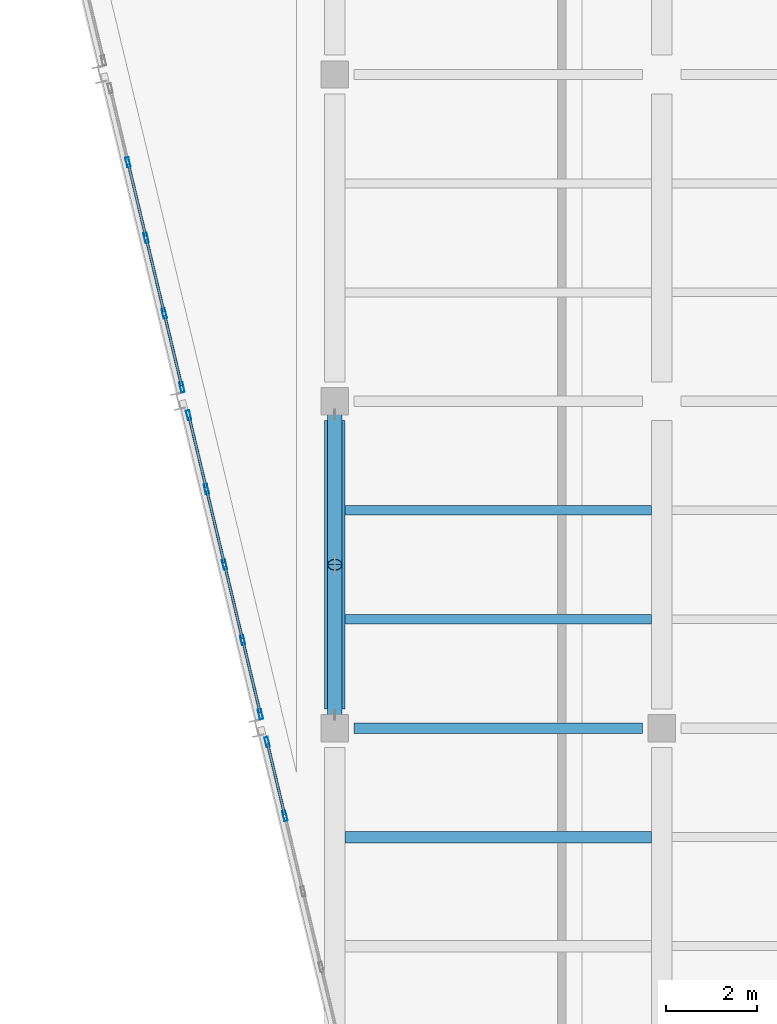
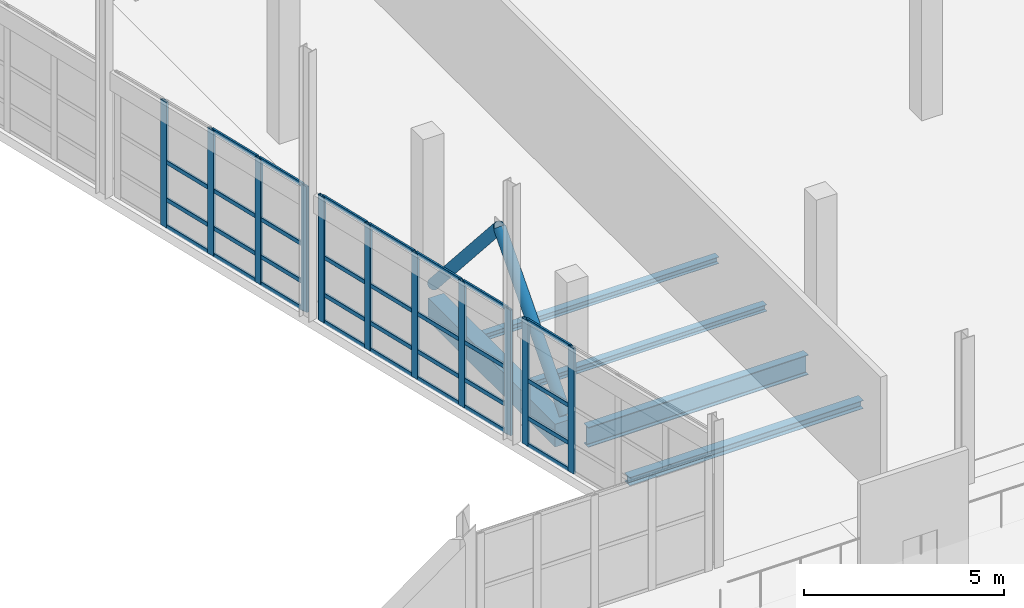
# One storey, part 61 of 123: 44 members, 5 beams, 3 elements without a shape of their own.
"""IFC4 building model written with IfcOpenShell, lengths in metres."""

from ifc_helpers import new_model, si_unit, direction, frame, origin, origin_2d, place, context, subcontext, project, spatial, rectangle, hollow_rectangle, hollow_circle, i_section, extrude, material, material_profile, profile_set, type_object, element, aggregate, save


model = new_model("IFC4")

# Units and contexts
model_context = context("Model", 3, precision=1e-05, world=origin(), true_north=direction((0.0, 1.0)))
body_context = subcontext(model_context, "Body", "Model", "MODEL_VIEW")
ifc_project = project(units=[si_unit("LENGTHUNIT", "METRE"), si_unit("AREAUNIT", "SQUARE_METRE"), si_unit("VOLUMEUNIT", "CUBIC_METRE"), si_unit("PLANEANGLEUNIT", "RADIAN"), si_unit("MASSUNIT", "GRAM", prefix="KILO")], contexts=[model_context])

# Site, building, storey
site_placement = place(None, origin())
site = spatial("IfcSite", under=ifc_project, at=site_placement, CompositionType="ELEMENT")
building_placement = place(site_placement, origin())
building = spatial("IfcBuilding", under=site, at=building_placement, Name="Kalmorath City Hall", CompositionType="ELEMENT")
storey_placement = place(building_placement, frame((0.0, 0.0, 10.199951171875)))
storey = spatial("IfcBuildingStorey", under=building, at=storey_placement, Name="L02", CompositionType="ELEMENT", Elevation=10.199951171875)

# Beam
ifc_material_1 = material(Name="Concrete C40/50", Category="concrete")
ifc_material_profile_1 = material_profile(ifc_material_1, rectangle(XDim=0.449951171875, YDim=0.699951171875, at=origin_2d()), Name="RC-BM-450X700")
ifc_profile_set_1 = profile_set([ifc_material_profile_1], Name="Concrete C40/50")
beam_type_1 = type_object("IfcBeamType", Name="Concrete floor beam 450x700", PredefinedType="BEAM", material=ifc_profile_set_1)
beam_1_placement = place(storey_placement, frame((136.800048828125, 50.824951171875, -0.634033203125), z_axis=(0.0, 1.0, 0.0), x_axis=(-1.0, 0.0, 0.0)))
element("IfcBeam", 1, at=beam_1_placement, inside=storey, type_object=beam_type_1, Name="L02 girder CB4 Y20/8-9", PredefinedType="BEAM", context=body_context, shape_type="SweptSolid", body=[
    extrude(rectangle(XDim=0.449951171875, YDim=0.699951171875, at=origin_2d()), origin(), (0.0, 0.0, 1.0), 6.35009765625),
])

# Curtain wall, members
ifc_material_2 = material(Name="Anodised aluminium and laminated glass", Category="aluminium")
curtain_wall_type = type_object("IfcCurtainWallType", Name="Unitised hurricane curtain wall 6849x3835 M1850", PredefinedType="NOTDEFINED", material=ifc_material_2)
curtain_wall_1_placement = place(storey_placement, origin())
curtain_wall_1 = element("IfcCurtainWall", 2, at=curtain_wall_1_placement, inside=storey, type_object=curtain_wall_type, Name="L02 curtain wall CW-68X38M18 #125", PredefinedType="NOTDEFINED")
ifc_material_3 = material(Name="Anodised aluminium framing", Category="aluminium")
ifc_material_profile_2 = material_profile(ifc_material_3, hollow_rectangle(XDim=0.06005859375, YDim=0.1298828125, WallThickness=0.00341796875, InnerFilletRadius=0.00341796875, OuterFilletRadius=0.007080078125, at=origin_2d()), Name="ALU-TRN-130X60X3.5")
ifc_profile_set_2 = profile_set([ifc_material_profile_2], Name="Anodised aluminium framing")
member_type_1 = type_object("IfcMemberType", Name="Curtain-wall courtyard transom 130x60", PredefinedType="USERDEFINED", material=ifc_profile_set_2)
member_1_placement = place(storey_placement, frame((135.691650390625, 48.50146484375, 0.030029296875), z_axis=(-0.233476838675, 0.972362363423, 0.0), x_axis=(-0.972362363423, -0.233476838675, 0.0)))
member_1 = element("IfcMember", 3, at=member_1_placement, type_object=member_type_1, Name="CW-68X38M18 transom 4.1", ObjectType="TRANSOM", PredefinedType="USERDEFINED", context=body_context, shape_type="SweptSolid", body=[
    extrude(hollow_rectangle(XDim=0.06005859375, YDim=0.1298828125, WallThickness=0.00341796875, InnerFilletRadius=0.00341796875, OuterFilletRadius=0.007080078125, at=origin_2d()), origin(), (0.0, 0.0, 1.0), 1.599853515625),
])
member_2_placement = place(storey_placement, frame((135.691650390625, 48.50146484375, 0.85009765625), z_axis=(-0.233476838675, 0.972362363423, 0.0), x_axis=(-0.972362363423, -0.233476838675, 0.0)))
member_2 = element("IfcMember", 4, at=member_2_placement, type_object=member_type_1, Name="CW-68X38M18 transom 4.2", ObjectType="TRANSOM", PredefinedType="USERDEFINED", context=body_context, shape_type="SweptSolid", body=[
    extrude(hollow_rectangle(XDim=0.06005859375, YDim=0.1298828125, WallThickness=0.00341796875, InnerFilletRadius=0.00341796875, OuterFilletRadius=0.007080078125, at=origin_2d()), origin(), (0.0, 0.0, 1.0), 1.599853515625),
])
member_3_placement = place(storey_placement, frame((135.691650390625, 48.50146484375, 1.994140625), z_axis=(-0.233476838675, 0.972362363423, 0.0), x_axis=(-0.972362363423, -0.233476838675, 0.0)))
member_3 = element("IfcMember", 5, at=member_3_placement, type_object=member_type_1, Name="CW-68X38M18 transom 4.3", ObjectType="TRANSOM", PredefinedType="USERDEFINED", context=body_context, shape_type="SweptSolid", body=[
    extrude(hollow_rectangle(XDim=0.06005859375, YDim=0.1298828125, WallThickness=0.00341796875, InnerFilletRadius=0.00341796875, OuterFilletRadius=0.007080078125, at=origin_2d()), origin(), (0.0, 0.0, 1.0), 1.599853515625),
])
member_4_placement = place(storey_placement, frame((135.691650390625, 48.50146484375, 3.804931640625), z_axis=(-0.233476838675, 0.972362363423, 0.0), x_axis=(-0.972362363423, -0.233476838675, 0.0)))
member_4 = element("IfcMember", 6, at=member_4_placement, type_object=member_type_1, Name="CW-68X38M18 transom 4.4", ObjectType="TRANSOM", PredefinedType="USERDEFINED", context=body_context, shape_type="SweptSolid", body=[
    extrude(hollow_rectangle(XDim=0.06005859375, YDim=0.1298828125, WallThickness=0.00341796875, InnerFilletRadius=0.00341796875, OuterFilletRadius=0.007080078125, at=origin_2d()), origin(), (0.0, 0.0, 1.0), 1.599853515625),
])

curtain_wall_2_placement = place(storey_placement, origin())
curtain_wall_2 = element("IfcCurtainWall", 7, at=curtain_wall_2_placement, inside=storey, type_object=curtain_wall_type, Name="L02 curtain wall CW-68X38M18 #126", PredefinedType="NOTDEFINED")
member_5_placement = place(storey_placement, frame((135.153564453125, 50.742919921875, 0.030029296875), z_axis=(-0.233476838675, 0.972362363423, 0.0), x_axis=(-0.972362363423, -0.233476838675, 0.0)))
member_5 = element("IfcMember", 8, at=member_5_placement, type_object=member_type_1, Name="CW-68X38M18 transom 1.1", ObjectType="TRANSOM", PredefinedType="USERDEFINED", context=body_context, shape_type="SweptSolid", body=[
    extrude(hollow_rectangle(XDim=0.06005859375, YDim=0.1298828125, WallThickness=0.00341796875, InnerFilletRadius=0.00341796875, OuterFilletRadius=0.007080078125, at=origin_2d()), origin(), (0.0, 0.0, 1.0), 1.599853515625),
])
member_6_placement = place(storey_placement, frame((135.153564453125, 50.742919921875, 0.85009765625), z_axis=(-0.233476838675, 0.972362363423, 0.0), x_axis=(-0.972362363423, -0.233476838675, 0.0)))
member_6 = element("IfcMember", 9, at=member_6_placement, type_object=member_type_1, Name="CW-68X38M18 transom 1.2", ObjectType="TRANSOM", PredefinedType="USERDEFINED", context=body_context, shape_type="SweptSolid", body=[
    extrude(hollow_rectangle(XDim=0.06005859375, YDim=0.1298828125, WallThickness=0.00341796875, InnerFilletRadius=0.00341796875, OuterFilletRadius=0.007080078125, at=origin_2d()), origin(), (0.0, 0.0, 1.0), 1.599853515625),
])
member_7_placement = place(storey_placement, frame((135.153564453125, 50.742919921875, 1.994140625), z_axis=(-0.233476838675, 0.972362363423, 0.0), x_axis=(-0.972362363423, -0.233476838675, 0.0)))
member_7 = element("IfcMember", 10, at=member_7_placement, type_object=member_type_1, Name="CW-68X38M18 transom 1.3", ObjectType="TRANSOM", PredefinedType="USERDEFINED", context=body_context, shape_type="SweptSolid", body=[
    extrude(hollow_rectangle(XDim=0.06005859375, YDim=0.1298828125, WallThickness=0.00341796875, InnerFilletRadius=0.00341796875, OuterFilletRadius=0.007080078125, at=origin_2d()), origin(), (0.0, 0.0, 1.0), 1.599853515625),
])
member_8_placement = place(storey_placement, frame((135.153564453125, 50.742919921875, 3.804931640625), z_axis=(-0.233476838675, 0.972362363423, 0.0), x_axis=(-0.972362363423, -0.233476838675, 0.0)))
member_8 = element("IfcMember", 11, at=member_8_placement, type_object=member_type_1, Name="CW-68X38M18 transom 1.4", ObjectType="TRANSOM", PredefinedType="USERDEFINED", context=body_context, shape_type="SweptSolid", body=[
    extrude(hollow_rectangle(XDim=0.06005859375, YDim=0.1298828125, WallThickness=0.00341796875, InnerFilletRadius=0.00341796875, OuterFilletRadius=0.007080078125, at=origin_2d()), origin(), (0.0, 0.0, 1.0), 1.599853515625),
])
member_9_placement = place(storey_placement, frame((134.7626953125, 52.37158203125, 0.030029296875), z_axis=(-0.233508300868, 0.972354808404, 0.0), x_axis=(-0.972354808404, -0.233508300868, 0.0)))
member_9 = element("IfcMember", 12, at=member_9_placement, type_object=member_type_1, Name="CW-68X38M18 transom 2.1", ObjectType="TRANSOM", PredefinedType="USERDEFINED", context=body_context, shape_type="SweptSolid", body=[
    extrude(hollow_rectangle(XDim=0.06005859375, YDim=0.1298828125, WallThickness=0.00341796875, InnerFilletRadius=0.00341796875, OuterFilletRadius=0.007080078125, at=origin_2d()), origin(), (0.0, 0.0, 1.0), 1.63720703125),
])
member_10_placement = place(storey_placement, frame((134.7626953125, 52.37158203125, 0.85009765625), z_axis=(-0.233508300868, 0.972354808404, 0.0), x_axis=(-0.972354808404, -0.233508300868, 0.0)))
member_10 = element("IfcMember", 13, at=member_10_placement, type_object=member_type_1, Name="CW-68X38M18 transom 2.2", ObjectType="TRANSOM", PredefinedType="USERDEFINED", context=body_context, shape_type="SweptSolid", body=[
    extrude(hollow_rectangle(XDim=0.06005859375, YDim=0.1298828125, WallThickness=0.00341796875, InnerFilletRadius=0.00341796875, OuterFilletRadius=0.007080078125, at=origin_2d()), origin(), (0.0, 0.0, 1.0), 1.63720703125),
])
member_11_placement = place(storey_placement, frame((134.7626953125, 52.37158203125, 1.994140625), z_axis=(-0.233508300868, 0.972354808404, 0.0), x_axis=(-0.972354808404, -0.233508300868, 0.0)))
member_11 = element("IfcMember", 14, at=member_11_placement, type_object=member_type_1, Name="CW-68X38M18 transom 2.3", ObjectType="TRANSOM", PredefinedType="USERDEFINED", context=body_context, shape_type="SweptSolid", body=[
    extrude(hollow_rectangle(XDim=0.06005859375, YDim=0.1298828125, WallThickness=0.00341796875, InnerFilletRadius=0.00341796875, OuterFilletRadius=0.007080078125, at=origin_2d()), origin(), (0.0, 0.0, 1.0), 1.63720703125),
])
member_12_placement = place(storey_placement, frame((134.7626953125, 52.37158203125, 3.804931640625), z_axis=(-0.233508300868, 0.972354808404, 0.0), x_axis=(-0.972354808404, -0.233508300868, 0.0)))
member_12 = element("IfcMember", 15, at=member_12_placement, type_object=member_type_1, Name="CW-68X38M18 transom 2.4", ObjectType="TRANSOM", PredefinedType="USERDEFINED", context=body_context, shape_type="SweptSolid", body=[
    extrude(hollow_rectangle(XDim=0.06005859375, YDim=0.1298828125, WallThickness=0.00341796875, InnerFilletRadius=0.00341796875, OuterFilletRadius=0.007080078125, at=origin_2d()), origin(), (0.0, 0.0, 1.0), 1.63720703125),
])
member_13_placement = place(storey_placement, frame((134.36279296875, 54.036376953125, 0.030029296875), z_axis=(-0.233367312665, 0.972388655518, 0.0), x_axis=(-0.972388655518, -0.233367312665, 0.0)))
member_13 = element("IfcMember", 16, at=member_13_placement, type_object=member_type_1, Name="CW-68X38M18 transom 3.1", ObjectType="TRANSOM", PredefinedType="USERDEFINED", context=body_context, shape_type="SweptSolid", body=[
    extrude(hollow_rectangle(XDim=0.06005859375, YDim=0.1298828125, WallThickness=0.00341796875, InnerFilletRadius=0.00341796875, OuterFilletRadius=0.007080078125, at=origin_2d()), origin(), (0.0, 0.0, 1.0), 1.63720703125),
])
member_14_placement = place(storey_placement, frame((134.36279296875, 54.036376953125, 0.85009765625), z_axis=(-0.233367312665, 0.972388655518, 0.0), x_axis=(-0.972388655518, -0.233367312665, 0.0)))
member_14 = element("IfcMember", 17, at=member_14_placement, type_object=member_type_1, Name="CW-68X38M18 transom 3.2", ObjectType="TRANSOM", PredefinedType="USERDEFINED", context=body_context, shape_type="SweptSolid", body=[
    extrude(hollow_rectangle(XDim=0.06005859375, YDim=0.1298828125, WallThickness=0.00341796875, InnerFilletRadius=0.00341796875, OuterFilletRadius=0.007080078125, at=origin_2d()), origin(), (0.0, 0.0, 1.0), 1.63720703125),
])
member_15_placement = place(storey_placement, frame((134.36279296875, 54.036376953125, 1.994140625), z_axis=(-0.233367312665, 0.972388655518, 0.0), x_axis=(-0.972388655518, -0.233367312665, 0.0)))
member_15 = element("IfcMember", 18, at=member_15_placement, type_object=member_type_1, Name="CW-68X38M18 transom 3.3", ObjectType="TRANSOM", PredefinedType="USERDEFINED", context=body_context, shape_type="SweptSolid", body=[
    extrude(hollow_rectangle(XDim=0.06005859375, YDim=0.1298828125, WallThickness=0.00341796875, InnerFilletRadius=0.00341796875, OuterFilletRadius=0.007080078125, at=origin_2d()), origin(), (0.0, 0.0, 1.0), 1.63720703125),
])
member_16_placement = place(storey_placement, frame((134.36279296875, 54.036376953125, 3.804931640625), z_axis=(-0.233367312665, 0.972388655518, 0.0), x_axis=(-0.972388655518, -0.233367312665, 0.0)))
member_16 = element("IfcMember", 19, at=member_16_placement, type_object=member_type_1, Name="CW-68X38M18 transom 3.4", ObjectType="TRANSOM", PredefinedType="USERDEFINED", context=body_context, shape_type="SweptSolid", body=[
    extrude(hollow_rectangle(XDim=0.06005859375, YDim=0.1298828125, WallThickness=0.00341796875, InnerFilletRadius=0.00341796875, OuterFilletRadius=0.007080078125, at=origin_2d()), origin(), (0.0, 0.0, 1.0), 1.63720703125),
])
member_17_placement = place(storey_placement, frame((133.963134765625, 55.701416015625, 0.030029296875), z_axis=(-0.233476838675, 0.972362363423, 0.0), x_axis=(-0.972362363423, -0.233476838675, 0.0)))
member_17 = element("IfcMember", 20, at=member_17_placement, type_object=member_type_1, Name="CW-68X38M18 transom 4.1", ObjectType="TRANSOM", PredefinedType="USERDEFINED", context=body_context, shape_type="SweptSolid", body=[
    extrude(hollow_rectangle(XDim=0.06005859375, YDim=0.1298828125, WallThickness=0.00341796875, InnerFilletRadius=0.00341796875, OuterFilletRadius=0.007080078125, at=origin_2d()), origin(), (0.0, 0.0, 1.0), 1.599853515625),
])
member_18_placement = place(storey_placement, frame((133.963134765625, 55.701416015625, 0.85009765625), z_axis=(-0.233476838675, 0.972362363423, 0.0), x_axis=(-0.972362363423, -0.233476838675, 0.0)))
member_18 = element("IfcMember", 21, at=member_18_placement, type_object=member_type_1, Name="CW-68X38M18 transom 4.2", ObjectType="TRANSOM", PredefinedType="USERDEFINED", context=body_context, shape_type="SweptSolid", body=[
    extrude(hollow_rectangle(XDim=0.06005859375, YDim=0.1298828125, WallThickness=0.00341796875, InnerFilletRadius=0.00341796875, OuterFilletRadius=0.007080078125, at=origin_2d()), origin(), (0.0, 0.0, 1.0), 1.599853515625),
])
member_19_placement = place(storey_placement, frame((133.963134765625, 55.701416015625, 1.994140625), z_axis=(-0.233476838675, 0.972362363423, 0.0), x_axis=(-0.972362363423, -0.233476838675, 0.0)))
member_19 = element("IfcMember", 22, at=member_19_placement, type_object=member_type_1, Name="CW-68X38M18 transom 4.3", ObjectType="TRANSOM", PredefinedType="USERDEFINED", context=body_context, shape_type="SweptSolid", body=[
    extrude(hollow_rectangle(XDim=0.06005859375, YDim=0.1298828125, WallThickness=0.00341796875, InnerFilletRadius=0.00341796875, OuterFilletRadius=0.007080078125, at=origin_2d()), origin(), (0.0, 0.0, 1.0), 1.599853515625),
])
member_20_placement = place(storey_placement, frame((133.963134765625, 55.701416015625, 3.804931640625), z_axis=(-0.233476838675, 0.972362363423, 0.0), x_axis=(-0.972362363423, -0.233476838675, 0.0)))
member_20 = element("IfcMember", 23, at=member_20_placement, type_object=member_type_1, Name="CW-68X38M18 transom 4.4", ObjectType="TRANSOM", PredefinedType="USERDEFINED", context=body_context, shape_type="SweptSolid", body=[
    extrude(hollow_rectangle(XDim=0.06005859375, YDim=0.1298828125, WallThickness=0.00341796875, InnerFilletRadius=0.00341796875, OuterFilletRadius=0.007080078125, at=origin_2d()), origin(), (0.0, 0.0, 1.0), 1.599853515625),
])

curtain_wall_3_placement = place(storey_placement, origin())
curtain_wall_3 = element("IfcCurtainWall", 24, at=curtain_wall_3_placement, inside=storey, type_object=curtain_wall_type, Name="L02 curtain wall CW-68X38M18 #127", PredefinedType="NOTDEFINED")
member_21_placement = place(storey_placement, frame((133.425048828125, 57.94287109375, 0.030029296875), z_axis=(-0.233476838675, 0.972362363423, 0.0), x_axis=(-0.972362363423, -0.233476838675, 0.0)))
member_21 = element("IfcMember", 25, at=member_21_placement, type_object=member_type_1, Name="CW-68X38M18 transom 1.1", ObjectType="TRANSOM", PredefinedType="USERDEFINED", context=body_context, shape_type="SweptSolid", body=[
    extrude(hollow_rectangle(XDim=0.06005859375, YDim=0.1298828125, WallThickness=0.00341796875, InnerFilletRadius=0.00341796875, OuterFilletRadius=0.007080078125, at=origin_2d()), origin(), (0.0, 0.0, 1.0), 1.599853515625),
])
member_22_placement = place(storey_placement, frame((133.425048828125, 57.94287109375, 0.85009765625), z_axis=(-0.233476838675, 0.972362363423, 0.0), x_axis=(-0.972362363423, -0.233476838675, 0.0)))
member_22 = element("IfcMember", 26, at=member_22_placement, type_object=member_type_1, Name="CW-68X38M18 transom 1.2", ObjectType="TRANSOM", PredefinedType="USERDEFINED", context=body_context, shape_type="SweptSolid", body=[
    extrude(hollow_rectangle(XDim=0.06005859375, YDim=0.1298828125, WallThickness=0.00341796875, InnerFilletRadius=0.00341796875, OuterFilletRadius=0.007080078125, at=origin_2d()), origin(), (0.0, 0.0, 1.0), 1.599853515625),
])
member_23_placement = place(storey_placement, frame((133.425048828125, 57.94287109375, 1.994140625), z_axis=(-0.233476838675, 0.972362363423, 0.0), x_axis=(-0.972362363423, -0.233476838675, 0.0)))
member_23 = element("IfcMember", 27, at=member_23_placement, type_object=member_type_1, Name="CW-68X38M18 transom 1.3", ObjectType="TRANSOM", PredefinedType="USERDEFINED", context=body_context, shape_type="SweptSolid", body=[
    extrude(hollow_rectangle(XDim=0.06005859375, YDim=0.1298828125, WallThickness=0.00341796875, InnerFilletRadius=0.00341796875, OuterFilletRadius=0.007080078125, at=origin_2d()), origin(), (0.0, 0.0, 1.0), 1.599853515625),
])
member_24_placement = place(storey_placement, frame((133.425048828125, 57.94287109375, 3.804931640625), z_axis=(-0.233476838675, 0.972362363423, 0.0), x_axis=(-0.972362363423, -0.233476838675, 0.0)))
member_24 = element("IfcMember", 28, at=member_24_placement, type_object=member_type_1, Name="CW-68X38M18 transom 1.4", ObjectType="TRANSOM", PredefinedType="USERDEFINED", context=body_context, shape_type="SweptSolid", body=[
    extrude(hollow_rectangle(XDim=0.06005859375, YDim=0.1298828125, WallThickness=0.00341796875, InnerFilletRadius=0.00341796875, OuterFilletRadius=0.007080078125, at=origin_2d()), origin(), (0.0, 0.0, 1.0), 1.599853515625),
])
member_25_placement = place(storey_placement, frame((133.033935546875, 59.571533203125, 0.030029296875), z_axis=(-0.233367312665, 0.972388655518, 0.0), x_axis=(-0.972388655518, -0.233367312665, 0.0)))
member_25 = element("IfcMember", 29, at=member_25_placement, type_object=member_type_1, Name="CW-68X38M18 transom 2.1", ObjectType="TRANSOM", PredefinedType="USERDEFINED", context=body_context, shape_type="SweptSolid", body=[
    extrude(hollow_rectangle(XDim=0.06005859375, YDim=0.1298828125, WallThickness=0.00341796875, InnerFilletRadius=0.00341796875, OuterFilletRadius=0.007080078125, at=origin_2d()), origin(), (0.0, 0.0, 1.0), 1.63720703125),
])
member_26_placement = place(storey_placement, frame((133.033935546875, 59.571533203125, 0.85009765625), z_axis=(-0.233367312665, 0.972388655518, 0.0), x_axis=(-0.972388655518, -0.233367312665, 0.0)))
member_26 = element("IfcMember", 30, at=member_26_placement, type_object=member_type_1, Name="CW-68X38M18 transom 2.2", ObjectType="TRANSOM", PredefinedType="USERDEFINED", context=body_context, shape_type="SweptSolid", body=[
    extrude(hollow_rectangle(XDim=0.06005859375, YDim=0.1298828125, WallThickness=0.00341796875, InnerFilletRadius=0.00341796875, OuterFilletRadius=0.007080078125, at=origin_2d()), origin(), (0.0, 0.0, 1.0), 1.63720703125),
])
member_27_placement = place(storey_placement, frame((133.033935546875, 59.571533203125, 1.994140625), z_axis=(-0.233367312665, 0.972388655518, 0.0), x_axis=(-0.972388655518, -0.233367312665, 0.0)))
member_27 = element("IfcMember", 31, at=member_27_placement, type_object=member_type_1, Name="CW-68X38M18 transom 2.3", ObjectType="TRANSOM", PredefinedType="USERDEFINED", context=body_context, shape_type="SweptSolid", body=[
    extrude(hollow_rectangle(XDim=0.06005859375, YDim=0.1298828125, WallThickness=0.00341796875, InnerFilletRadius=0.00341796875, OuterFilletRadius=0.007080078125, at=origin_2d()), origin(), (0.0, 0.0, 1.0), 1.63720703125),
])
member_28_placement = place(storey_placement, frame((133.033935546875, 59.571533203125, 3.804931640625), z_axis=(-0.233367312665, 0.972388655518, 0.0), x_axis=(-0.972388655518, -0.233367312665, 0.0)))
member_28 = element("IfcMember", 32, at=member_28_placement, type_object=member_type_1, Name="CW-68X38M18 transom 2.4", ObjectType="TRANSOM", PredefinedType="USERDEFINED", context=body_context, shape_type="SweptSolid", body=[
    extrude(hollow_rectangle(XDim=0.06005859375, YDim=0.1298828125, WallThickness=0.00341796875, InnerFilletRadius=0.00341796875, OuterFilletRadius=0.007080078125, at=origin_2d()), origin(), (0.0, 0.0, 1.0), 1.63720703125),
])
member_29_placement = place(storey_placement, frame((132.63427734375, 61.236572265625, 0.030029296875), z_axis=(-0.233508300868, 0.972354808404, 0.0), x_axis=(-0.972354808404, -0.233508300868, 0.0)))
member_29 = element("IfcMember", 33, at=member_29_placement, type_object=member_type_1, Name="CW-68X38M18 transom 3.1", ObjectType="TRANSOM", PredefinedType="USERDEFINED", context=body_context, shape_type="SweptSolid", body=[
    extrude(hollow_rectangle(XDim=0.06005859375, YDim=0.1298828125, WallThickness=0.00341796875, InnerFilletRadius=0.00341796875, OuterFilletRadius=0.007080078125, at=origin_2d()), origin(), (0.0, 0.0, 1.0), 1.63720703125),
])
member_30_placement = place(storey_placement, frame((132.63427734375, 61.236572265625, 0.85009765625), z_axis=(-0.233508300868, 0.972354808404, 0.0), x_axis=(-0.972354808404, -0.233508300868, 0.0)))
member_30 = element("IfcMember", 34, at=member_30_placement, type_object=member_type_1, Name="CW-68X38M18 transom 3.2", ObjectType="TRANSOM", PredefinedType="USERDEFINED", context=body_context, shape_type="SweptSolid", body=[
    extrude(hollow_rectangle(XDim=0.06005859375, YDim=0.1298828125, WallThickness=0.00341796875, InnerFilletRadius=0.00341796875, OuterFilletRadius=0.007080078125, at=origin_2d()), origin(), (0.0, 0.0, 1.0), 1.63720703125),
])
member_31_placement = place(storey_placement, frame((132.63427734375, 61.236572265625, 1.994140625), z_axis=(-0.233508300868, 0.972354808404, 0.0), x_axis=(-0.972354808404, -0.233508300868, 0.0)))
member_31 = element("IfcMember", 35, at=member_31_placement, type_object=member_type_1, Name="CW-68X38M18 transom 3.3", ObjectType="TRANSOM", PredefinedType="USERDEFINED", context=body_context, shape_type="SweptSolid", body=[
    extrude(hollow_rectangle(XDim=0.06005859375, YDim=0.1298828125, WallThickness=0.00341796875, InnerFilletRadius=0.00341796875, OuterFilletRadius=0.007080078125, at=origin_2d()), origin(), (0.0, 0.0, 1.0), 1.63720703125),
])

# Member
ifc_material_4 = material(Name="Anodised aluminium framing", Category="aluminium")
ifc_material_profile_3 = material_profile(ifc_material_4, hollow_rectangle(XDim=0.074951171875, YDim=0.219970703125, WallThickness=0.00390625, InnerFilletRadius=0.00390625, OuterFilletRadius=0.008056640625, at=origin_2d()), Name="ALU-MUL-220X75X4")
ifc_profile_set_3 = profile_set([ifc_material_profile_3], Name="Anodised aluminium framing")
member_type_2 = type_object("IfcMemberType", Name="Curtain-wall primary mullion 220x75", PredefinedType="MULLION", material=ifc_profile_set_3)
member_32_placement = place(storey_placement, frame((135.700439453125, 48.465087890625, 0.0), z_axis=(0.0, 0.0, 1.0), x_axis=(-0.97236741933, -0.233455781305, 0.0)))
member_32 = element("IfcMember", 36, at=member_32_placement, type_object=member_type_2, Name="CW-68X38M18 mullion 4", PredefinedType="MULLION", context=body_context, shape_type="SweptSolid", body=[
    extrude(hollow_rectangle(XDim=0.074951171875, YDim=0.219970703125, WallThickness=0.00390625, InnerFilletRadius=0.00390625, OuterFilletRadius=0.008056640625, at=origin_2d()), origin(), (0.0, 0.0, 1.0), 3.8349609375),
])

member_33_placement = place(storey_placement, frame((135.3095703125, 50.093505859375, 0.0), z_axis=(0.0, 0.0, 1.0), x_axis=(-0.97236741933, -0.233455781305, 0.0)))
member_33 = element("IfcMember", 37, at=member_33_placement, type_object=member_type_2, Name="CW-68X38M18 mullion 5", PredefinedType="MULLION", context=body_context, shape_type="SweptSolid", body=[
    extrude(hollow_rectangle(XDim=0.074951171875, YDim=0.219970703125, WallThickness=0.00390625, InnerFilletRadius=0.00390625, OuterFilletRadius=0.008056640625, at=origin_2d()), origin(), (0.0, 0.0, 1.0), 3.8349609375),
])

aggregate(curtain_wall_1, [member_32, member_33, member_1, member_2, member_3, member_4])

member_34_placement = place(storey_placement, frame((135.162353515625, 50.70654296875, 0.0), z_axis=(0.0, 0.0, 1.0), x_axis=(-0.97236741933, -0.233455781305, 0.0)))
member_34 = element("IfcMember", 38, at=member_34_placement, type_object=member_type_2, Name="CW-68X38M18 mullion 1", PredefinedType="MULLION", context=body_context, shape_type="SweptSolid", body=[
    extrude(hollow_rectangle(XDim=0.074951171875, YDim=0.219970703125, WallThickness=0.00390625, InnerFilletRadius=0.00390625, OuterFilletRadius=0.008056640625, at=origin_2d()), origin(), (0.0, 0.0, 1.0), 3.8349609375),
])

member_35_placement = place(storey_placement, frame((134.771240234375, 52.3349609375, 0.0), z_axis=(0.0, 0.0, 1.0), x_axis=(-0.97236741933, -0.233455781305, 0.0)))
member_35 = element("IfcMember", 39, at=member_35_placement, type_object=member_type_2, Name="CW-68X38M18 mullion 2", PredefinedType="MULLION", context=body_context, shape_type="SweptSolid", body=[
    extrude(hollow_rectangle(XDim=0.074951171875, YDim=0.219970703125, WallThickness=0.00390625, InnerFilletRadius=0.00390625, OuterFilletRadius=0.008056640625, at=origin_2d()), origin(), (0.0, 0.0, 1.0), 3.8349609375),
])

member_36_placement = place(storey_placement, frame((134.37158203125, 54.0, 0.0), z_axis=(0.0, 0.0, 1.0), x_axis=(-0.97236741933, -0.233455781305, 0.0)))
member_36 = element("IfcMember", 40, at=member_36_placement, type_object=member_type_2, Name="CW-68X38M18 mullion 3", PredefinedType="MULLION", context=body_context, shape_type="SweptSolid", body=[
    extrude(hollow_rectangle(XDim=0.074951171875, YDim=0.219970703125, WallThickness=0.00390625, InnerFilletRadius=0.00390625, OuterFilletRadius=0.008056640625, at=origin_2d()), origin(), (0.0, 0.0, 1.0), 3.8349609375),
])

member_37_placement = place(storey_placement, frame((133.971923828125, 55.6650390625, 0.0), z_axis=(0.0, 0.0, 1.0), x_axis=(-0.97236741933, -0.233455781305, 0.0)))
member_37 = element("IfcMember", 41, at=member_37_placement, type_object=member_type_2, Name="CW-68X38M18 mullion 4", PredefinedType="MULLION", context=body_context, shape_type="SweptSolid", body=[
    extrude(hollow_rectangle(XDim=0.074951171875, YDim=0.219970703125, WallThickness=0.00390625, InnerFilletRadius=0.00390625, OuterFilletRadius=0.008056640625, at=origin_2d()), origin(), (0.0, 0.0, 1.0), 3.8349609375),
])

member_38_placement = place(storey_placement, frame((133.580810546875, 57.29345703125, 0.0), z_axis=(0.0, 0.0, 1.0), x_axis=(-0.97236741933, -0.233455781305, 0.0)))
member_38 = element("IfcMember", 42, at=member_38_placement, type_object=member_type_2, Name="CW-68X38M18 mullion 5", PredefinedType="MULLION", context=body_context, shape_type="SweptSolid", body=[
    extrude(hollow_rectangle(XDim=0.074951171875, YDim=0.219970703125, WallThickness=0.00390625, InnerFilletRadius=0.00390625, OuterFilletRadius=0.008056640625, at=origin_2d()), origin(), (0.0, 0.0, 1.0), 3.8349609375),
])

aggregate(curtain_wall_2, [member_34, member_35, member_36, member_37, member_38, member_5, member_6, member_7, member_8, member_9, member_10, member_11, member_12, member_13, member_14, member_15, member_16, member_17, member_18, member_19, member_20])

member_39_placement = place(storey_placement, frame((133.433837890625, 57.906494140625, 0.0), z_axis=(0.0, 0.0, 1.0), x_axis=(-0.97236741933, -0.233455781305, 0.0)))
member_39 = element("IfcMember", 43, at=member_39_placement, type_object=member_type_2, Name="CW-68X38M18 mullion 1", PredefinedType="MULLION", context=body_context, shape_type="SweptSolid", body=[
    extrude(hollow_rectangle(XDim=0.074951171875, YDim=0.219970703125, WallThickness=0.00390625, InnerFilletRadius=0.00390625, OuterFilletRadius=0.008056640625, at=origin_2d()), origin(), (0.0, 0.0, 1.0), 3.8349609375),
])

member_40_placement = place(storey_placement, frame((133.042724609375, 59.534912109375, 0.0), z_axis=(0.0, 0.0, 1.0), x_axis=(-0.97236741933, -0.233455781305, 0.0)))
member_40 = element("IfcMember", 44, at=member_40_placement, type_object=member_type_2, Name="CW-68X38M18 mullion 2", PredefinedType="MULLION", context=body_context, shape_type="SweptSolid", body=[
    extrude(hollow_rectangle(XDim=0.074951171875, YDim=0.219970703125, WallThickness=0.00390625, InnerFilletRadius=0.00390625, OuterFilletRadius=0.008056640625, at=origin_2d()), origin(), (0.0, 0.0, 1.0), 3.8349609375),
])

member_41_placement = place(storey_placement, frame((132.64306640625, 61.199951171875, 0.0), z_axis=(0.0, 0.0, 1.0), x_axis=(-0.97236741933, -0.233455781305, 0.0)))
member_41 = element("IfcMember", 45, at=member_41_placement, type_object=member_type_2, Name="CW-68X38M18 mullion 3", PredefinedType="MULLION", context=body_context, shape_type="SweptSolid", body=[
    extrude(hollow_rectangle(XDim=0.074951171875, YDim=0.219970703125, WallThickness=0.00390625, InnerFilletRadius=0.00390625, OuterFilletRadius=0.008056640625, at=origin_2d()), origin(), (0.0, 0.0, 1.0), 3.8349609375),
])

member_42_placement = place(storey_placement, frame((132.2431640625, 62.864990234375, 0.0), z_axis=(0.0, 0.0, 1.0), x_axis=(-0.97236741933, -0.233455781305, 0.0)))
member_42 = element("IfcMember", 46, at=member_42_placement, type_object=member_type_2, Name="CW-68X38M18 mullion 4", PredefinedType="MULLION", context=body_context, shape_type="SweptSolid", body=[
    extrude(hollow_rectangle(XDim=0.074951171875, YDim=0.219970703125, WallThickness=0.00390625, InnerFilletRadius=0.00390625, OuterFilletRadius=0.008056640625, at=origin_2d()), origin(), (0.0, 0.0, 1.0), 3.8349609375),
])

aggregate(curtain_wall_3, [member_39, member_40, member_41, member_42, member_21, member_22, member_23, member_24, member_25, member_26, member_27, member_28, member_29, member_30, member_31])

# Beams
ifc_material_5 = material(Name="Steel ASTM A992 Grade 50", Category="steel")
ifc_material_profile_4 = material_profile(ifc_material_5, i_section(OverallWidth=0.202880859375, OverallDepth=0.202880859375, WebThickness=0.007080078125, FlangeThickness=0.010986328125, FilletRadius=0.010986328125, at=origin_2d()), Name="W8X31")
ifc_profile_set_4 = profile_set([ifc_material_profile_4], Name="Steel ASTM A992 Grade 50")
beam_type_2 = type_object("IfcBeamType", Name="Steel edge trimmer W8X31", PredefinedType="LINTEL", material=ifc_profile_set_4)
for number, where, z_axis, x_axis, name in (
    (47, (137.02490234375, 52.800048828125, -0.385498046875), (1.0, 0.0, 0.0), (0.0, 1.0, 0.0), "L02 joist SJ16 20.8.1"),
    (48, (137.02490234375, 55.199951171875, -0.385498046875), (1.0, 0.0, 0.0), (0.0, 1.0, 0.0), "L02 joist SJ16 20.8.2"),
):
    element("IfcBeam", number, at=place(storey_placement, frame(where, z_axis=z_axis, x_axis=x_axis)), inside=storey, type_object=beam_type_2, Name=name, PredefinedType="LINTEL", context=body_context, shape_type="SweptSolid", body=[
        extrude(i_section(OverallWidth=0.202880859375, OverallDepth=0.202880859375, WebThickness=0.007080078125, FlangeThickness=0.010986328125, FilletRadius=0.010986328125, at=origin_2d()), origin(), (0.0, 0.0, 1.0), 6.75),
    ])
ifc_material_6 = material(Name="Steel ASTM A992 Grade 50", Category="steel")
ifc_material_profile_5 = material_profile(ifc_material_6, i_section(OverallWidth=0.22900390625, OverallDepth=0.612060546875, WebThickness=0.011962890625, FlangeThickness=0.01953125, FilletRadius=0.01611328125, at=origin_2d()), Name="W24X84")
ifc_profile_set_5 = profile_set([ifc_material_profile_5], Name="Steel ASTM A992 Grade 50")
beam_type_3 = type_object("IfcBeamType", Name="Steel floor girder W24X84", PredefinedType="BEAM", material=ifc_profile_set_5)
beam_2_placement = place(storey_placement, frame((137.22509765625, 50.39990234375, -0.58984375), z_axis=(1.0, 0.0, 0.0), x_axis=(0.0, 1.0, 0.0)))
element("IfcBeam", 49, at=beam_2_placement, inside=storey, type_object=beam_type_3, Name="L02 girder SG8 X20-21/8", PredefinedType="BEAM", context=body_context, shape_type="SweptSolid", body=[
    extrude(i_section(OverallWidth=0.22900390625, OverallDepth=0.612060546875, WebThickness=0.011962890625, FlangeThickness=0.01953125, FilletRadius=0.01611328125, at=origin_2d()), origin(), (0.0, 0.0, 1.0), 6.349853515625),
])
ifc_material_7 = material(Name="Steel ASTM A992 Grade 50", Category="steel")
ifc_material_profile_6 = material_profile(ifc_material_7, i_section(OverallWidth=0.25390625, OverallDepth=0.2529296875, WebThickness=0.008544921875, FlangeThickness=0.01416015625, FilletRadius=0.011962890625, at=origin_2d()), Name="W10X49")
ifc_profile_set_6 = profile_set([ifc_material_profile_6], Name="Steel ASTM A992 Grade 50")
beam_type_4 = type_object("IfcBeamType", Name="Steel trimmer beam W10X49", PredefinedType="BEAM", material=ifc_profile_set_6)
beam_3_placement = place(storey_placement, frame((137.02490234375, 48.0, -0.410400390625), z_axis=(1.0, 0.0, 0.0), x_axis=(0.0, 1.0, 0.0)))
element("IfcBeam", 50, at=beam_3_placement, inside=storey, type_object=beam_type_4, Name="L02 joist SJ14 20.7.2", PredefinedType="BEAM", context=body_context, shape_type="SweptSolid", body=[
    extrude(i_section(OverallWidth=0.25390625, OverallDepth=0.2529296875, WebThickness=0.008544921875, FlangeThickness=0.01416015625, FilletRadius=0.011962890625, at=origin_2d()), origin(), (0.0, 0.0, 1.0), 6.75),
])

# Members
ifc_material_8 = material(Name="Steel ASTM A500 Grade C", Category="steel")
ifc_material_profile_7 = material_profile(ifc_material_8, hollow_circle(Radius=0.162109375, WallThickness=0.01171875, at=origin_2d()), Name="HSS324X12.7")
ifc_profile_set_7 = profile_set([ifc_material_profile_7], Name="Steel ASTM A500 Grade C")
member_type_3 = type_object("IfcMemberType", Name="Steel tubular strut HSS324X12.7", PredefinedType="BRACE", material=ifc_profile_set_7)
for number, where, z_axis, x_axis, name in (
    (51, (136.800048828125, 50.699951171875, 0.0), (0.0, 0.661628112653, 0.74983214158), (-1.0, 0.0, 0.0), "L02 chevron brace BR5 5A"),
    (52, (136.800048828125, 57.300048828125, 0.0), (0.0, -0.661628112653, 0.74983214158), (1.0, 0.0, 0.0), "L02 chevron brace BR5 5B"),
):
    element("IfcMember", number, at=place(storey_placement, frame(where, z_axis=z_axis, x_axis=x_axis)), inside=storey, type_object=member_type_3, Name=name, PredefinedType="BRACE", context=body_context, shape_type="SweptSolid", body=[
        extrude(hollow_circle(Radius=0.162109375, WallThickness=0.01171875, at=origin_2d()), origin(), (0.0, 0.0, 1.0), 4.98779296875),
    ])

save(model, "model.ifc")
